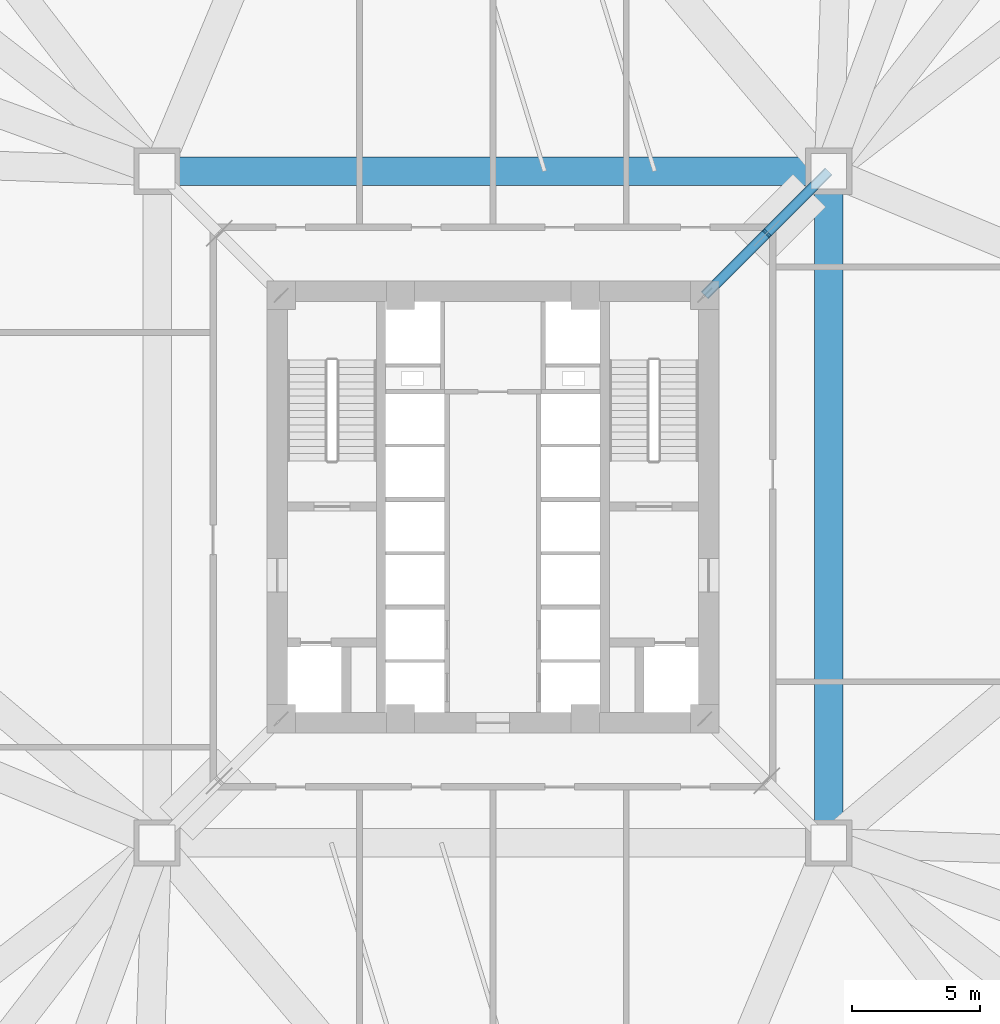
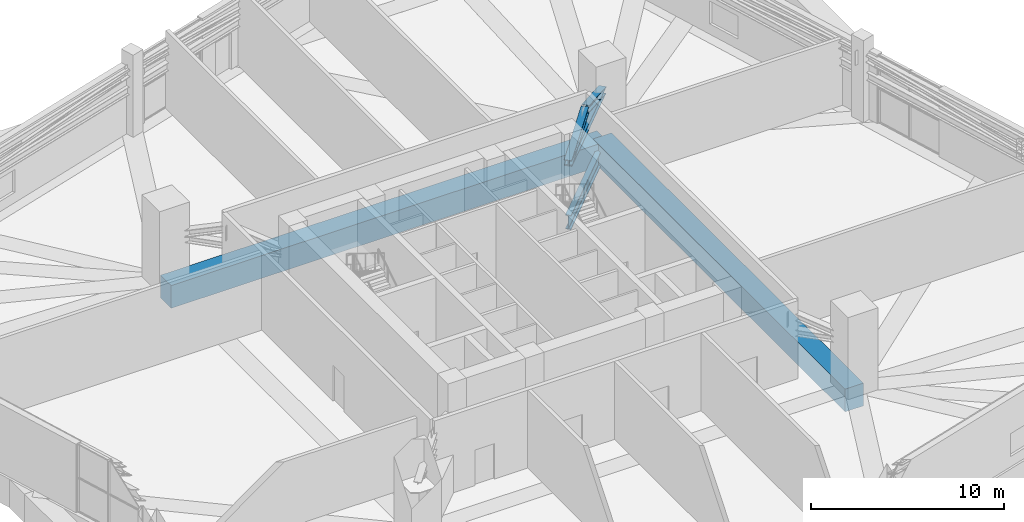
# One storey, part 9 of 22: 3 beams, 3 members.
"""IFC4 building model written with IfcOpenShell, lengths in metres."""

from ifc_helpers import new_model, si_unit, direction, frame, origin, origin_2d, place, context, subcontext, project, spatial, rectangle, i_section, extrude, source, transform, mapped, material, material_profile, profile_set, type_object, element, save


model = new_model("IFC4")

# Units and contexts
model_context = context("Model", 3, precision=1e-05, world=origin(), true_north=direction((0.0, 1.0)))
body_context = subcontext(model_context, "Body", "Model", "MODEL_VIEW")
ifc_project = project(units=[si_unit("LENGTHUNIT", "METRE"), si_unit("AREAUNIT", "SQUARE_METRE"), si_unit("VOLUMEUNIT", "CUBIC_METRE"), si_unit("PLANEANGLEUNIT", "RADIAN"), si_unit("MASSUNIT", "GRAM", prefix="KILO"), si_unit("THERMODYNAMICTEMPERATUREUNIT", "KELVIN")], contexts=[model_context])

# Site, building, storey
site_placement = place(None, origin())
site = spatial("IfcSite", under=ifc_project, at=site_placement, CompositionType="ELEMENT")
building_placement = place(site_placement, origin())
building = spatial("IfcBuilding", under=site, at=building_placement, Name="Kosmvard Interchange Tower", CompositionType="ELEMENT")
storey_placement = place(building_placement, frame((0.0, 0.0, 78.0)))
storey = spatial("IfcBuildingStorey", under=building, at=storey_placement, Name="L18", CompositionType="ELEMENT", Elevation=78.0)

# Beams
ifc_material_1 = material(Name="Steel S460", Category="steel")
ifc_material_profile_1 = material_profile(ifc_material_1, i_section(OverallWidth=0.30810546875, OverallDepth=0.909912109375, WebThickness=0.02099609375, FlangeThickness=0.0400390625, FilletRadius=0.027099609375, at=origin_2d()), Name="HEM 900")
ifc_profile_set_1 = profile_set([ifc_material_profile_1], Name="Steel S460")
beam_type_1 = type_object("IfcBeamType", Name="Primary Mega-Frame Girder HEM 900 S460", PredefinedType="BEAM", material=ifc_profile_set_1)
shared_shape_1 = source(origin(), body_context, "Body", "SweptSolid", [
    extrude(i_section(OverallWidth=0.30810546875, OverallDepth=0.909912109375, WebThickness=0.02099609375, FlangeThickness=0.0400390625, FilletRadius=0.027099609375, at=origin_2d()), origin(), (0.0, 0.0, 1.0), 6.83203125),
])
beam_placement = place(storey_placement, frame((8.25, 8.25, -0.85498046875), z_axis=(0.707106781187, 0.707106781187, 0.0), x_axis=(-0.707106781187, 0.707106781187, 0.0)))
element("IfcBeam", 1, at=beam_placement, inside=storey, type_object=beam_type_1, Name="L18 Radial Mega-Frame Girder 3", PredefinedType="BEAM", context=body_context, shape_type="MappedRepresentation", body=[
    mapped(shared_shape_1, transform((0.0, 0.0, 0.0), scale=1.0)),
])
ifc_material_2 = material(Name="Concrete C70/85", Category="concrete")
ifc_material_profile_2 = material_profile(ifc_material_2, rectangle(XDim=1.10009765625, YDim=1.43994140625, at=origin_2d()), Name="TG 1100x1440")
ifc_profile_set_2 = profile_set([ifc_material_profile_2], Name="Concrete C70/85")
beam_type_2 = type_object("IfcBeamType", Name="Mega-Frame Transfer Ring Girder 1100x1440 C70/85", PredefinedType="USERDEFINED", material=ifc_profile_set_2)
shared_shape_2 = source(origin(), body_context, "Body", "SweptSolid", [
    extrude(rectangle(XDim=1.10009765625, YDim=1.43994140625, at=origin_2d()), origin(), (0.0, 0.0, 1.0), 26.162109375),
])
for number, where, z_axis, x_axis, name in (
    (2, (13.0810546875, -13.0810546875, -0.719970703125), (0.0, 1.0, 0.0), (-1.0, 0.0, 0.0), "L18 Mega-Column Ring Girder 2"),
    (3, (13.0810546875, 13.0810546875, -0.719970703125), (-1.0, 0.0, 0.0), (0.0, -1.0, 0.0), "L18 Mega-Column Ring Girder 3"),
):
    element("IfcBeam", number, at=place(storey_placement, frame(where, z_axis=z_axis, x_axis=x_axis)), inside=storey, type_object=beam_type_2, Name=name, ObjectType="TRANSFER_GIRDER", PredefinedType="USERDEFINED", context=body_context, shape_type="MappedRepresentation", body=[
        mapped(shared_shape_2, transform((0.0, 0.0, 0.0), scale=1.0)),
    ])

# Members
ifc_material_profile_3 = material_profile(ifc_material_1, i_section(OverallWidth=0.40087890625, OverallDepth=0.39892578125, WebThickness=0.0185546875, FlangeThickness=0.028076171875, FilletRadius=0.014892578125, at=origin_2d()), Name="HD 400x314")
ifc_profile_set_3 = profile_set([ifc_material_profile_3], Name="Steel S460")
member_type_1 = type_object("IfcMemberType", Name="Outrigger Top and Bottom Chord HD 400x314 S460", PredefinedType="CHORD", material=ifc_profile_set_3)
shared_shape_3 = source(origin(), body_context, "Body", "SweptSolid", [
    extrude(i_section(OverallWidth=0.40087890625, OverallDepth=0.39892578125, WebThickness=0.0185546875, FlangeThickness=0.028076171875, FilletRadius=0.014892578125, at=origin_2d()), origin(), (0.0, 0.0, 1.0), 6.83203125),
])
member_placement = place(storey_placement, frame((8.25, 8.25, 2.919921875), z_axis=(0.707106781187, 0.707106781187, 0.0), x_axis=(-0.707106781187, 0.707106781187, 0.0)))
element("IfcMember", 4, at=member_placement, inside=storey, type_object=member_type_1, Name="L18 Outrigger Bottom Chord 3", PredefinedType="CHORD", context=body_context, shape_type="MappedRepresentation", body=[
    mapped(shared_shape_3, transform((0.0, 0.0, 0.0), scale=1.0)),
])
ifc_material_profile_4 = material_profile(ifc_material_1, i_section(OverallWidth=0.408935546875, OverallDepth=0.425048828125, WebThickness=0.02392578125, FlangeThickness=0.0390625, FilletRadius=0.014892578125, at=origin_2d()), Name="HD 400x421")
ifc_profile_set_4 = profile_set([ifc_material_profile_4], Name="Steel S460")
member_type_2 = type_object("IfcMemberType", Name="Radial Outrigger Diagonal HD 400x421 S460", PredefinedType="BRACE", material=ifc_profile_set_4)
shared_shape_4 = source(origin(), body_context, "Body", "SweptSolid", [
    extrude(i_section(OverallWidth=0.408935546875, OverallDepth=0.425048828125, WebThickness=0.02392578125, FlangeThickness=0.0390625, FilletRadius=0.014892578125, at=origin_2d()), origin(), (0.0, 0.0, 1.0), 3.592041015625),
])
for number, where, z_axis, x_axis, name in (
    (5, (8.25, 8.25, 2.919921875), (0.672489341333, 0.672489341333, 0.309056906715), (-0.707106781187, 0.707106781187, 0.0), "L18 Outrigger Diagonal 3A"),
    (6, (10.66552734375, 10.66552734375, 4.030029296875), (0.672489341333, 0.672489341333, -0.309056906715), (-0.707106781187, 0.707106781187, 0.0), "L18 Outrigger Diagonal 3B"),
):
    element("IfcMember", number, at=place(storey_placement, frame(where, z_axis=z_axis, x_axis=x_axis)), inside=storey, type_object=member_type_2, Name=name, PredefinedType="BRACE", context=body_context, shape_type="MappedRepresentation", body=[
        mapped(shared_shape_4, transform((0.0, 0.0, 0.0), scale=1.0)),
    ])

save(model, "model.ifc")
